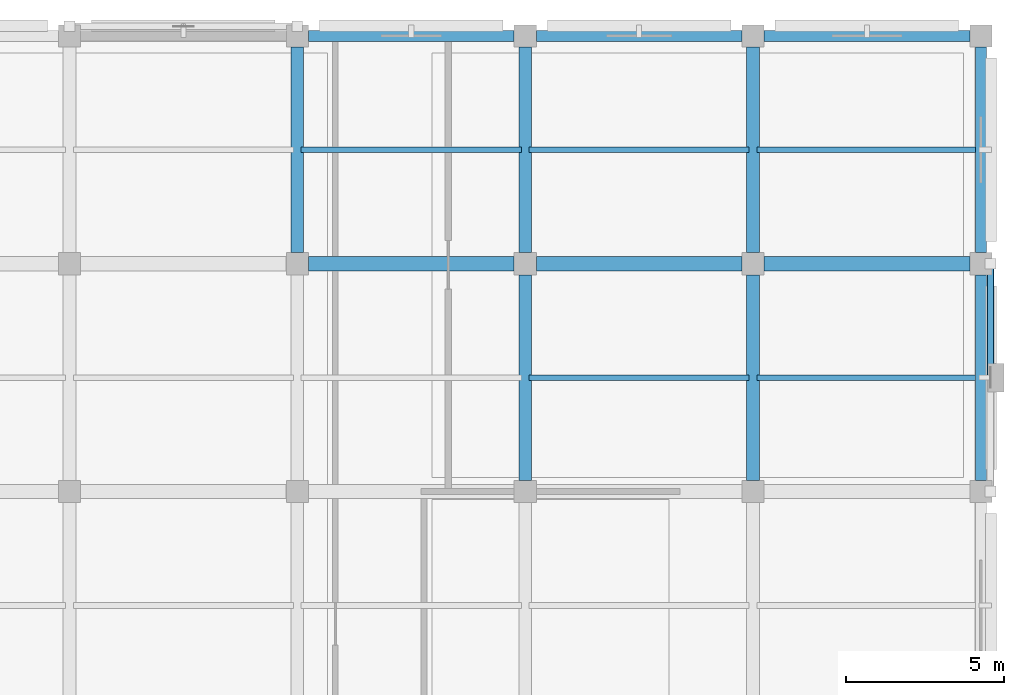
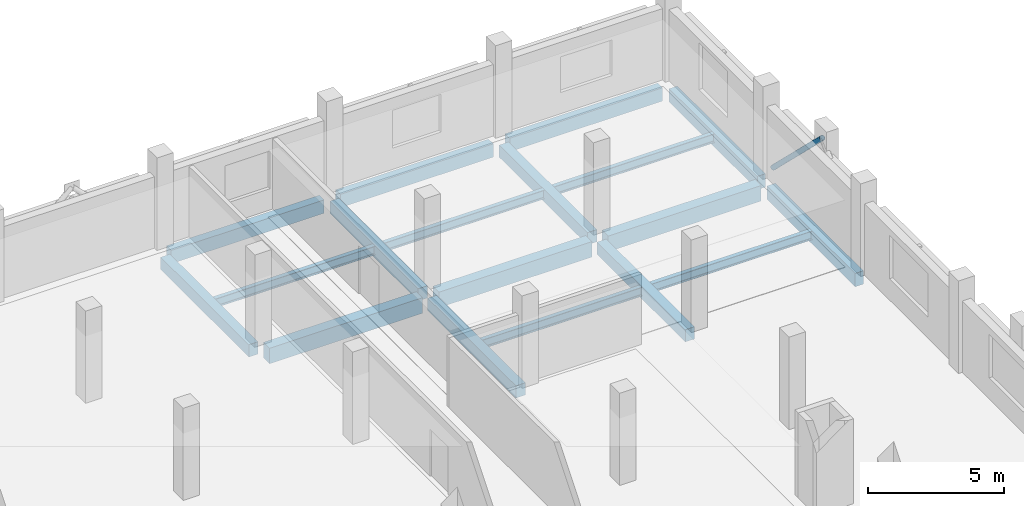
# One storey, part 26 of 62: 18 beams, 1 member.
"""IFC4 building model written with IfcOpenShell, lengths in metres."""

import ifcopenshell
import ifcopenshell.guid

model = None  # the IFC model being written
_history = None  # IfcOwnerHistory: only IFC2X3 demands one
_inside = {}  # id of a spatial element -> (the spatial element, [elements in it])
_under = {}  # id of a project, library or spatial element -> (it, [spatial elements below it])
_declared = {}  # id of a project -> (the project, [libraries it declares])
_typed = {}  # id of a type object -> (the type object, [elements of that type])
_made_of = {}  # id of a material, layer set ... -> (it, [elements and type objects made of it])


def new_model(schema):
    """Start an empty IFC model of exactly this schema.

    Asked for "IFC4X3", IfcOpenShell would pick the latest addendum, in which some entities
    have other attributes; the version numbers below select the first issue.
    IFC2X3 requires an IfcOwnerHistory on every rooted entity: one is made here for all.
    """
    global model, _history
    if schema == "IFC4X3":
        model = ifcopenshell.file(schema_version=(4, 3, 0, 0))
    else:
        model = ifcopenshell.file(schema=schema)
    _inside.clear()
    _under.clear()
    _declared.clear()
    _typed.clear()
    _made_of.clear()
    _history = None
    if model.schema == "IFC2X3":
        org = make("IfcOrganization", Name="unknown")
        user = make(
            "IfcPersonAndOrganization",
            ThePerson=make("IfcPerson", FamilyName="unknown"),
            TheOrganization=org,
        )
        app = make(
            "IfcApplication",
            ApplicationDeveloper=org,
            Version="unknown",
            ApplicationFullName="unknown",
            ApplicationIdentifier="unknown",
        )
        _history = make(
            "IfcOwnerHistory",
            OwningUser=user,
            OwningApplication=app,
            ChangeAction="ADDED",
            CreationDate=0,
        )
    return model


def make(cls, **values):
    """One entity of the class cls with the attributes given. An attribute that is None is left unset."""
    return model.create_entity(
        cls, **{name: value for name, value in values.items() if value is not None}
    )


def rooted(cls, **values):
    """An entity with a GlobalId (a new one), such as an element, a storey or a relation."""
    return make(cls, GlobalId=ifcopenshell.guid.new(), OwnerHistory=_history, **values)


def si_unit(unit_type, name, prefix=None):
    """IfcSIUnit, for example si_unit("LENGTHUNIT", "METRE", prefix="MILLI")."""
    return make("IfcSIUnit", UnitType=unit_type, Prefix=prefix, Name=name)


def assignment(units):
    """IfcUnitAssignment: the units of a project."""
    return None if units is None else make("IfcUnitAssignment", Units=units)


def point(xyz):
    """IfcCartesianPoint."""
    return None if xyz is None else make("IfcCartesianPoint", Coordinates=xyz)


def direction(xyz):
    """IfcDirection."""
    return None if xyz is None else make("IfcDirection", DirectionRatios=xyz)


def frame(location, z_axis=None, x_axis=None):
    """IfcAxis2Placement3D, a coordinate frame: its origin and axes. An axis left out is left unset."""
    return make(
        "IfcAxis2Placement3D",
        Location=point(location),
        Axis=direction(z_axis),
        RefDirection=direction(x_axis),
    )


def frame_2d(location, x_axis=None):
    """IfcAxis2Placement2D, a coordinate frame in the plane: its origin and x axis."""
    return make(
        "IfcAxis2Placement2D", Location=point(location), RefDirection=direction(x_axis)
    )


def origin():
    """The frame at (0, 0, 0) with its axes left unset."""
    return frame((0.0, 0.0, 0.0))


def origin_2d():
    """The frame at (0, 0) in the plane with its x axis left unset."""
    return frame_2d((0.0, 0.0))


def place(relative_to, where):
    """IfcLocalPlacement: puts the frame where relative to a parent placement (None: the world)."""
    return make(
        "IfcLocalPlacement", PlacementRelTo=relative_to, RelativePlacement=where
    )


def context(
    kind, dimensions, precision=None, world=None, true_north=None, identifier=None
):
    """IfcGeometricRepresentationContext, for example the 3D "Model" context."""
    return make(
        "IfcGeometricRepresentationContext",
        ContextIdentifier=identifier,
        ContextType=kind,
        CoordinateSpaceDimension=dimensions,
        Precision=precision,
        WorldCoordinateSystem=world,
        TrueNorth=true_north,
    )


def subcontext(parent, identifier, kind, view, scale=None):
    """IfcGeometricRepresentationSubContext, for example "Body" below "Model"."""
    return make(
        "IfcGeometricRepresentationSubContext",
        ContextIdentifier=identifier,
        ContextType=kind,
        ParentContext=parent,
        TargetScale=scale,
        TargetView=view,
    )


def project(units=None, contexts=None):
    """IfcProject with its units and contexts."""
    return rooted(
        "IfcProject",
        Name="project",
        RepresentationContexts=contexts,
        UnitsInContext=assignment(units),
    )


def spatial(cls, under=None, at=None, **own):
    """A site, building, storey or space (cls), placed at a placement, below another one or the project."""
    s = rooted(cls, ObjectPlacement=at, **own)
    if under is not None:
        _under.setdefault(under.id(), (under, []))[1].append(s)
    return s


def profile(cls, at=None, kind="AREA", **sizes):
    """A parametric profile (cls). Its sizes go by their IFC names, for example OverallWidth=200.0."""
    return make(cls, ProfileType=kind, Position=at, **sizes)


def rectangle(**sizes):
    """IfcRectangleProfileDef."""
    return profile("IfcRectangleProfileDef", **sizes)


def hollow_circle(**sizes):
    """IfcCircleHollowProfileDef."""
    return profile("IfcCircleHollowProfileDef", **sizes)


def i_section(**sizes):
    """IfcIShapeProfileDef."""
    return profile("IfcIShapeProfileDef", **sizes)


def extrude(swept, where, along, depth):
    """IfcExtrudedAreaSolid: the profile swept, set in the frame where, extruded along a direction by depth."""
    return make(
        "IfcExtrudedAreaSolid",
        SweptArea=swept,
        Position=where,
        ExtrudedDirection=direction(along),
        Depth=depth,
    )


def shape(context_of_items, identifier, shape_type, items):
    """IfcShapeRepresentation: the items that make up one representation, for example the "Body"."""
    return make(
        "IfcShapeRepresentation",
        ContextOfItems=context_of_items,
        RepresentationIdentifier=identifier,
        RepresentationType=shape_type,
        Items=items,
    )


def material(Name=None, Category=None):
    """IfcMaterial."""
    return make("IfcMaterial", Name=Name, Category=Category)


def material_profile(
    of_material, cross_section, Name=None, Category=None, Priority=None
):
    """IfcMaterialProfile: a cross section and its material."""
    return make(
        "IfcMaterialProfile",
        Name=Name,
        Material=of_material,
        Profile=cross_section,
        Priority=Priority,
        Category=Category,
    )


def profile_set(profiles, Name=None, composite=None):
    """IfcMaterialProfileSet."""
    return make(
        "IfcMaterialProfileSet",
        Name=Name,
        MaterialProfiles=profiles,
        CompositeProfile=composite,
    )


def made_of(thing, what):
    """Note that an element or type object is made of a material, layer set ...; save() writes the relation."""
    if what is not None:
        _made_of.setdefault(what.id(), (what, []))[1].append(thing)
    return thing


def type_object(cls, material=None, **own):
    """A type object (cls), such as IfcWallType, which elements share."""
    return made_of(rooted(cls, **own), material)


def element(
    cls,
    number,
    at=None,
    inside=None,
    cuts=None,
    type_object=None,
    material=None,
    context=None,
    identifier="Body",
    shape_type=None,
    held_by="IfcProductDefinitionShape",
    body=None,
    shapes=None,
    **own,
):
    """One element of the class cls, such as IfcWall. Its Tag is "e" and its number.

    at: its placement. inside: the storey or other place that contains it. cuts: it is an
    opening in that element (IfcRelVoidsElement). A single representation is given by context,
    identifier, shape_type and body (its items); several are given by shapes. held_by: the class
    of the entity that holds the representations. save() writes the other relations.
    """
    e = rooted(cls, Tag="e%d" % number, ObjectPlacement=at, **own)
    if body is not None:
        shapes = [shape(context, identifier, shape_type, body)]
    if shapes is not None:
        e.Representation = make(held_by, Representations=shapes)
    if inside is not None:
        _inside.setdefault(inside.id(), (inside, []))[1].append(e)
    if cuts is not None:
        rooted(
            "IfcRelVoidsElement", RelatingBuildingElement=cuts, RelatedOpeningElement=e
        )
    if type_object is not None:
        _typed.setdefault(type_object.id(), (type_object, []))[1].append(e)
    return made_of(e, material)


def aggregate(whole, parts):
    """IfcRelAggregates: a whole, such as a stair, and the parts it consists of."""
    return rooted("IfcRelAggregates", RelatingObject=whole, RelatedObjects=parts)


def save(model, path):
    """Write the relations noted so far, then the file.

    IfcRelAggregates (storeys below a building ...), IfcRelContainedInSpatialStructure (elements
    in a storey), IfcRelDefinesByType, IfcRelAssociatesMaterial and IfcRelDeclares: one each for
    every whole, place, type object, material and project.
    """
    for whole, parts in _under.values():
        aggregate(whole, parts)
    for where, things in _inside.values():
        rooted(
            "IfcRelContainedInSpatialStructure",
            RelatedElements=things,
            RelatingStructure=where,
        )
    for kind, things in _typed.values():
        rooted("IfcRelDefinesByType", RelatedObjects=things, RelatingType=kind)
    for what, things in _made_of.values():
        rooted("IfcRelAssociatesMaterial", RelatedObjects=things, RelatingMaterial=what)
    for by, libraries in _declared.values():
        rooted("IfcRelDeclares", RelatingContext=by, RelatedDefinitions=libraries)
    model.write(path)


model = new_model("IFC4")

# Units and contexts
model_context = context("Model", 3, precision=1e-05, world=origin(), true_north=direction((0.0, 1.0)))
body_context = subcontext(model_context, "Body", "Model", "MODEL_VIEW")
ifc_project = project(units=[si_unit("LENGTHUNIT", "METRE"), si_unit("AREAUNIT", "SQUARE_METRE"), si_unit("VOLUMEUNIT", "CUBIC_METRE"), si_unit("PLANEANGLEUNIT", "RADIAN"), si_unit("MASSUNIT", "GRAM", prefix="KILO")], contexts=[model_context])

# Site, building, storey
site_placement = place(None, origin())
site = spatial("IfcSite", under=ifc_project, at=site_placement, CompositionType="ELEMENT")
building_placement = place(site_placement, origin())
building = spatial("IfcBuilding", under=site, at=building_placement, Name="Valkovuoma Quantum and Materials Research Institute", CompositionType="ELEMENT")
storey_placement = place(building_placement, frame((0.0, 0.0, 8.9599609375)))
storey = spatial("IfcBuildingStorey", under=building, at=storey_placement, Name="L02", CompositionType="ELEMENT", Elevation=8.9599609375)

# Beams
ifc_material_1 = material(Name="Steel S355J2", Category="steel")
ifc_material_profile_1 = material_profile(ifc_material_1, i_section(OverallWidth=0.179931640625, OverallDepth=0.39990234375, WebThickness=0.008544921875, FlangeThickness=0.013427734375, FilletRadius=0.02099609375, at=origin_2d()), Name="Steel S355J2")
ifc_profile_set_1 = profile_set([ifc_material_profile_1], Name="Steel S355J2")
beam_type_1 = type_object("IfcBeamType", Name="Beam-B-JST400", PredefinedType="JOIST", material=ifc_profile_set_1)
for number, where, z_axis, x_axis, name in (
    (1, (151.320068359375, 104.39990234375, -0.550048828125), (1.0, 0.0, 0.0), (0.0, 1.0, 0.0), "L02 floor joist 1417"),
    (2, (158.52001953125, 104.39990234375, -0.550048828125), (1.0, 0.0, 0.0), (0.0, 1.0, 0.0), "L02 floor joist 1418"),
    (3, (144.1201171875, 111.60009765625, -0.550048828125), (1.0, 0.0, 0.0), (0.0, 1.0, 0.0), "L02 floor joist 1421"),
    (4, (151.320068359375, 111.60009765625, -0.550048828125), (1.0, 0.0, 0.0), (0.0, 1.0, 0.0), "L02 floor joist 1422"),
    (5, (158.52001953125, 111.60009765625, -0.550048828125), (1.0, 0.0, 0.0), (0.0, 1.0, 0.0), "L02 floor joist 1423"),
):
    element("IfcBeam", number, at=place(storey_placement, frame(where, z_axis=z_axis, x_axis=x_axis)), inside=storey, type_object=beam_type_1, Name=name, PredefinedType="JOIST", context=body_context, shape_type="SweptSolid", body=[
        extrude(i_section(OverallWidth=0.179931640625, OverallDepth=0.39990234375, WebThickness=0.008544921875, FlangeThickness=0.013427734375, FilletRadius=0.02099609375, at=origin_2d()), origin(), (0.0, 0.0, 1.0), 6.9599609375),
    ])
ifc_material_2 = material(Name="Concrete C40/50", Category="concrete")
ifc_material_profile_2 = material_profile(ifc_material_2, rectangle(XDim=0.39990234375, YDim=0.550048828125, at=origin_2d()), Name="Concrete C40/50")
ifc_profile_set_2 = profile_set([ifc_material_profile_2], Name="Concrete C40/50")
beam_type_2 = type_object("IfcBeamType", Name="Beam-B-RC550", PredefinedType="BEAM", material=ifc_profile_set_2)
for number, where, z_axis, x_axis, name in (
    (6, (144.0, 108.35009765625, -0.625), (0.0, 1.0, 0.0), (-1.0, 0.0, 0.0), "L02 beam Y-1270"),
    (7, (151.199951171875, 101.14990234375, -0.625), (0.0, 1.0, 0.0), (-1.0, 0.0, 0.0), "L02 beam Y-1280"),
    (8, (151.199951171875, 108.35009765625, -0.625), (0.0, 1.0, 0.0), (-1.0, 0.0, 0.0), "L02 beam Y-1281"),
    (9, (158.39990234375, 101.14990234375, -0.625), (0.0, 1.0, 0.0), (-1.0, 0.0, 0.0), "L02 beam Y-1291"),
    (10, (158.39990234375, 108.35009765625, -0.625), (0.0, 1.0, 0.0), (-1.0, 0.0, 0.0), "L02 beam Y-1292"),
):
    element("IfcBeam", number, at=place(storey_placement, frame(where, z_axis=z_axis, x_axis=x_axis)), inside=storey, type_object=beam_type_2, Name=name, PredefinedType="BEAM", context=body_context, shape_type="SweptSolid", body=[
        extrude(rectangle(XDim=0.39990234375, YDim=0.550048828125, at=origin_2d()), origin(), (0.0, 0.0, 1.0), 6.5),
    ])
ifc_material_3 = material(Name="Concrete C40/50", Category="concrete")
ifc_material_profile_3 = material_profile(ifc_material_3, rectangle(XDim=0.449951171875, YDim=0.699951171875, at=origin_2d()), Name="Concrete C40/50")
ifc_profile_set_3 = profile_set([ifc_material_profile_3], Name="Concrete C40/50")
beam_type_3 = type_object("IfcBeamType", Name="Beam-B-RC700", PredefinedType="BEAM", material=ifc_profile_set_3)
for number, where, z_axis, x_axis, name in (
    (11, (144.35009765625, 108.0, -0.699951171875), (1.0, 0.0, 0.0), (0.0, 1.0, 0.0), "L02 beam X-1145"),
    (12, (151.550048828125, 108.0, -0.699951171875), (1.0, 0.0, 0.0), (0.0, 1.0, 0.0), "L02 beam X-1146"),
    (13, (158.75, 108.0, -0.699951171875), (1.0, 0.0, 0.0), (0.0, 1.0, 0.0), "L02 beam X-1147"),
):
    element("IfcBeam", number, at=place(storey_placement, frame(where, z_axis=z_axis, x_axis=x_axis)), inside=storey, type_object=beam_type_3, Name=name, PredefinedType="BEAM", context=body_context, shape_type="SweptSolid", body=[
        extrude(rectangle(XDim=0.449951171875, YDim=0.699951171875, at=origin_2d()), origin(), (0.0, 0.0, 1.0), 6.5),
    ])
ifc_material_4 = material(Name="Concrete C40/50", Category="concrete")
ifc_material_profile_4 = material_profile(ifc_material_4, rectangle(XDim=0.35009765625, YDim=0.60009765625, at=origin_2d()), Name="Concrete C40/50")
ifc_profile_set_4 = profile_set([ifc_material_profile_4], Name="Concrete C40/50")
beam_type_4 = type_object("IfcBeamType", Name="Beam-B-SPN600", PredefinedType="SPANDREL", material=ifc_profile_set_4)
for number, where, z_axis, x_axis, name in (
    (14, (144.35009765625, 115.199951171875, -0.64990234375), (1.0, 0.0, 0.0), (0.0, 1.0, 0.0), "L02 beam X-1150"),
    (15, (151.550048828125, 115.199951171875, -0.64990234375), (1.0, 0.0, 0.0), (0.0, 1.0, 0.0), "L02 beam X-1151"),
    (16, (158.75, 115.199951171875, -0.64990234375), (1.0, 0.0, 0.0), (0.0, 1.0, 0.0), "L02 beam X-1152"),
    (17, (165.60009765625, 101.14990234375, -0.64990234375), (0.0, 1.0, 0.0), (-1.0, 0.0, 0.0), "L02 beam Y-1300"),
    (18, (165.60009765625, 108.35009765625, -0.64990234375), (0.0, 1.0, 0.0), (-1.0, 0.0, 0.0), "L02 beam Y-1301"),
):
    element("IfcBeam", number, at=place(storey_placement, frame(where, z_axis=z_axis, x_axis=x_axis)), inside=storey, type_object=beam_type_4, Name=name, PredefinedType="SPANDREL", context=body_context, shape_type="SweptSolid", body=[
        extrude(rectangle(XDim=0.35009765625, YDim=0.60009765625, at=origin_2d()), origin(), (0.0, 0.0, 1.0), 6.5),
    ])

# Member
ifc_material_5 = material(Name="Steel S355J2H", Category="steel")
ifc_material_profile_5 = material_profile(ifc_material_5, hollow_circle(Radius=0.109619140625, WallThickness=0.010009765625, at=origin_2d()), Name="Steel S355J2H")
ifc_profile_set_5 = profile_set([ifc_material_profile_5], Name="Steel S355J2H")
member_type = type_object("IfcMemberType", Name="Mem-M-BRC219", PredefinedType="BRACE", material=ifc_profile_set_5)
member_placement = place(storey_placement, frame((165.89990234375, 108.0, 0.10009765625), z_axis=(0.0, -0.716008634166, 0.698091423668), x_axis=(1.0, 0.0, 0.0)))
element("IfcMember", 19, at=member_placement, inside=storey, type_object=member_type, Name="L02 chevron wind brace 16B", PredefinedType="BRACE", context=body_context, shape_type="SweptSolid", body=[
    extrude(hollow_circle(Radius=0.109619140625, WallThickness=0.010009765625, at=origin_2d()), origin(), (0.0, 0.0, 1.0), 5.028076171875),
])

save(model, "model.ifc")
